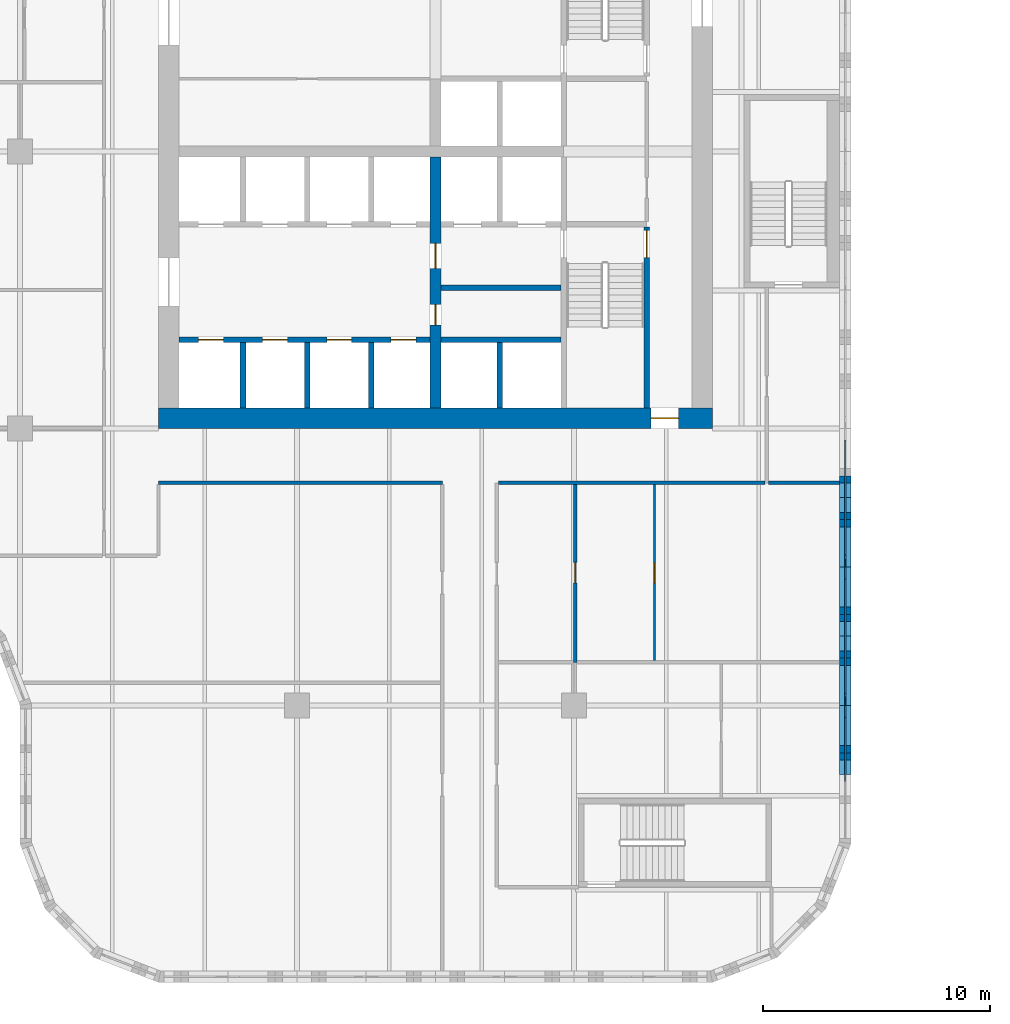
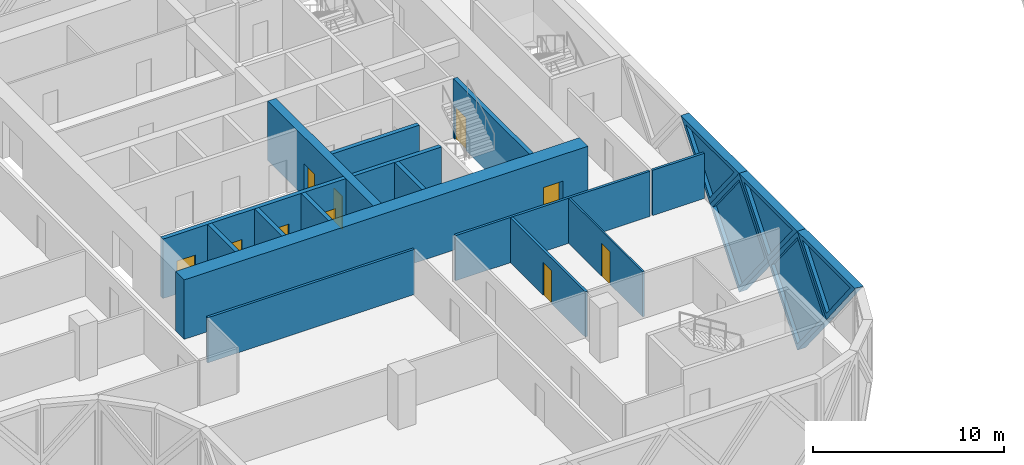
# One storey, part 8 of 24: 20 walls, 10 doors, 5 plates, 15 openings.
"""IFC4 building model written with IfcOpenShell, lengths in metres."""

import ifcopenshell
import ifcopenshell.guid

model = None  # the IFC model being written
_history = None  # IfcOwnerHistory: only IFC2X3 demands one
_inside = {}  # id of a spatial element -> (the spatial element, [elements in it])
_under = {}  # id of a project, library or spatial element -> (it, [spatial elements below it])
_declared = {}  # id of a project -> (the project, [libraries it declares])
_typed = {}  # id of a type object -> (the type object, [elements of that type])
_made_of = {}  # id of a material, layer set ... -> (it, [elements and type objects made of it])


def new_model(schema):
    """Start an empty IFC model of exactly this schema.

    Asked for "IFC4X3", IfcOpenShell would pick the latest addendum, in which some entities
    have other attributes; the version numbers below select the first issue.
    IFC2X3 requires an IfcOwnerHistory on every rooted entity: one is made here for all.
    """
    global model, _history
    if schema == "IFC4X3":
        model = ifcopenshell.file(schema_version=(4, 3, 0, 0))
    else:
        model = ifcopenshell.file(schema=schema)
    _inside.clear()
    _under.clear()
    _declared.clear()
    _typed.clear()
    _made_of.clear()
    _history = None
    if model.schema == "IFC2X3":
        org = make("IfcOrganization", Name="unknown")
        user = make(
            "IfcPersonAndOrganization",
            ThePerson=make("IfcPerson", FamilyName="unknown"),
            TheOrganization=org,
        )
        app = make(
            "IfcApplication",
            ApplicationDeveloper=org,
            Version="unknown",
            ApplicationFullName="unknown",
            ApplicationIdentifier="unknown",
        )
        _history = make(
            "IfcOwnerHistory",
            OwningUser=user,
            OwningApplication=app,
            ChangeAction="ADDED",
            CreationDate=0,
        )
    return model


def make(cls, **values):
    """One entity of the class cls with the attributes given. An attribute that is None is left unset."""
    return model.create_entity(
        cls, **{name: value for name, value in values.items() if value is not None}
    )


def rooted(cls, **values):
    """An entity with a GlobalId (a new one), such as an element, a storey or a relation."""
    return make(cls, GlobalId=ifcopenshell.guid.new(), OwnerHistory=_history, **values)


def si_unit(unit_type, name, prefix=None):
    """IfcSIUnit, for example si_unit("LENGTHUNIT", "METRE", prefix="MILLI")."""
    return make("IfcSIUnit", UnitType=unit_type, Prefix=prefix, Name=name)


def assignment(units):
    """IfcUnitAssignment: the units of a project."""
    return None if units is None else make("IfcUnitAssignment", Units=units)


def point(xyz):
    """IfcCartesianPoint."""
    return None if xyz is None else make("IfcCartesianPoint", Coordinates=xyz)


def direction(xyz):
    """IfcDirection."""
    return None if xyz is None else make("IfcDirection", DirectionRatios=xyz)


def frame(location, z_axis=None, x_axis=None):
    """IfcAxis2Placement3D, a coordinate frame: its origin and axes. An axis left out is left unset."""
    return make(
        "IfcAxis2Placement3D",
        Location=point(location),
        Axis=direction(z_axis),
        RefDirection=direction(x_axis),
    )


def frame_2d(location, x_axis=None):
    """IfcAxis2Placement2D, a coordinate frame in the plane: its origin and x axis."""
    return make(
        "IfcAxis2Placement2D", Location=point(location), RefDirection=direction(x_axis)
    )


def origin():
    """The frame at (0, 0, 0) with its axes left unset."""
    return frame((0.0, 0.0, 0.0))


def place(relative_to, where):
    """IfcLocalPlacement: puts the frame where relative to a parent placement (None: the world)."""
    return make(
        "IfcLocalPlacement", PlacementRelTo=relative_to, RelativePlacement=where
    )


def context(
    kind, dimensions, precision=None, world=None, true_north=None, identifier=None
):
    """IfcGeometricRepresentationContext, for example the 3D "Model" context."""
    return make(
        "IfcGeometricRepresentationContext",
        ContextIdentifier=identifier,
        ContextType=kind,
        CoordinateSpaceDimension=dimensions,
        Precision=precision,
        WorldCoordinateSystem=world,
        TrueNorth=true_north,
    )


def subcontext(parent, identifier, kind, view, scale=None):
    """IfcGeometricRepresentationSubContext, for example "Body" below "Model"."""
    return make(
        "IfcGeometricRepresentationSubContext",
        ContextIdentifier=identifier,
        ContextType=kind,
        ParentContext=parent,
        TargetScale=scale,
        TargetView=view,
    )


def project(units=None, contexts=None):
    """IfcProject with its units and contexts."""
    return rooted(
        "IfcProject",
        Name="project",
        RepresentationContexts=contexts,
        UnitsInContext=assignment(units),
    )


def spatial(cls, under=None, at=None, **own):
    """A site, building, storey or space (cls), placed at a placement, below another one or the project."""
    s = rooted(cls, ObjectPlacement=at, **own)
    if under is not None:
        _under.setdefault(under.id(), (under, []))[1].append(s)
    return s


def polyline(points):
    """IfcPolyline through the points."""
    return make("IfcPolyline", Points=[point(p) for p in points])


def profile(cls, at=None, kind="AREA", **sizes):
    """A parametric profile (cls). Its sizes go by their IFC names, for example OverallWidth=200.0."""
    return make(cls, ProfileType=kind, Position=at, **sizes)


def rectangle(**sizes):
    """IfcRectangleProfileDef."""
    return profile("IfcRectangleProfileDef", **sizes)


def outline(outer, holes=None, kind="AREA"):
    """IfcArbitraryClosedProfileDef: a profile drawn as a closed curve; with holes, ...WithVoids."""
    if holes is None:
        return make("IfcArbitraryClosedProfileDef", ProfileType=kind, OuterCurve=outer)
    return make(
        "IfcArbitraryProfileDefWithVoids",
        ProfileType=kind,
        OuterCurve=outer,
        InnerCurves=holes,
    )


def extrude(swept, where, along, depth):
    """IfcExtrudedAreaSolid: the profile swept, set in the frame where, extruded along a direction by depth."""
    return make(
        "IfcExtrudedAreaSolid",
        SweptArea=swept,
        Position=where,
        ExtrudedDirection=direction(along),
        Depth=depth,
    )


def faces_of(points, faces, orient=None, outer=None):
    """IfcFace entities. A face is a list of loops; a loop is a list of indices into points, from 0.

    orient and outer hold one flag for each loop. By default every Orientation is true, the
    first loop of a face is its IfcFaceOuterBound and the others are IfcFaceBound.
    """
    made = []
    for i, loops in enumerate(faces):
        bounds = []
        for j, loop in enumerate(loops):
            is_outer = j == 0 if outer is None else outer[i][j]
            bounds.append(
                make(
                    "IfcFaceOuterBound" if is_outer else "IfcFaceBound",
                    Bound=make("IfcPolyLoop", Polygon=[points[k] for k in loop]),
                    Orientation=True if orient is None else orient[i][j],
                )
            )
        made.append(make("IfcFace", Bounds=bounds))
    return made


def faceted_brep(points, faces, orient=None, outer=None, voids=None):
    """IfcFacetedBrep: a solid bounded by flat faces; with voids (closed shells), ...WithVoids."""
    shared = [point(p) for p in points]
    hull = make("IfcClosedShell", CfsFaces=faces_of(shared, faces, orient, outer))
    if voids is None:
        return make("IfcFacetedBrep", Outer=hull)
    return make(
        "IfcFacetedBrepWithVoids",
        Outer=hull,
        Voids=[
            make(cls, CfsFaces=faces_of(shared, fs, o, b)) for cls, fs, o, b in voids
        ],
    )


def shape(context_of_items, identifier, shape_type, items):
    """IfcShapeRepresentation: the items that make up one representation, for example the "Body"."""
    return make(
        "IfcShapeRepresentation",
        ContextOfItems=context_of_items,
        RepresentationIdentifier=identifier,
        RepresentationType=shape_type,
        Items=items,
    )


def source(mapping_origin, context_of_items, identifier, shape_type, items):
    """IfcRepresentationMap: a shape defined once, which mapped items show again and again."""
    return make(
        "IfcRepresentationMap",
        MappingOrigin=mapping_origin,
        MappedRepresentation=shape(context_of_items, identifier, shape_type, items),
    )


def transform(
    local_origin,
    x_axis=None,
    y_axis=None,
    z_axis=None,
    scale=None,
    scale2=None,
    scale3=None,
    uniform=True,
):
    """IfcCartesianTransformationOperator3D, or its non-uniform kind. x_axis, y_axis, z_axis: its Axis1, 2, 3."""
    if uniform:
        return make(
            "IfcCartesianTransformationOperator3D",
            Axis1=direction(x_axis),
            Axis2=direction(y_axis),
            LocalOrigin=point(local_origin),
            Scale=scale,
            Axis3=direction(z_axis),
        )
    return make(
        "IfcCartesianTransformationOperator3DnonUniform",
        Axis1=direction(x_axis),
        Axis2=direction(y_axis),
        LocalOrigin=point(local_origin),
        Scale=scale,
        Axis3=direction(z_axis),
        Scale2=scale2,
        Scale3=scale3,
    )


def mapped(mapping_source, mapping_target):
    """IfcMappedItem: shows the shape of a source again, moved by a transform."""
    return make(
        "IfcMappedItem", MappingSource=mapping_source, MappingTarget=mapping_target
    )


def material(Name=None, Category=None):
    """IfcMaterial."""
    return make("IfcMaterial", Name=Name, Category=Category)


def layer(
    of_material, thickness, ventilated=None, Name=None, Category=None, Priority=None
):
    """IfcMaterialLayer: one layer of a wall or slab, of a material (None: an air gap)."""
    return make(
        "IfcMaterialLayer",
        Material=of_material,
        LayerThickness=thickness,
        IsVentilated=ventilated,
        Name=Name,
        Category=Category,
        Priority=Priority,
    )


def layer_set(layers, Name=None):
    """IfcMaterialLayerSet."""
    return make("IfcMaterialLayerSet", MaterialLayers=layers, LayerSetName=Name)


def made_of(thing, what):
    """Note that an element or type object is made of a material, layer set ...; save() writes the relation."""
    if what is not None:
        _made_of.setdefault(what.id(), (what, []))[1].append(thing)
    return thing


def type_object(cls, material=None, **own):
    """A type object (cls), such as IfcWallType, which elements share."""
    return made_of(rooted(cls, **own), material)


def element(
    cls,
    number,
    at=None,
    inside=None,
    cuts=None,
    type_object=None,
    material=None,
    context=None,
    identifier="Body",
    shape_type=None,
    held_by="IfcProductDefinitionShape",
    body=None,
    shapes=None,
    **own,
):
    """One element of the class cls, such as IfcWall. Its Tag is "e" and its number.

    at: its placement. inside: the storey or other place that contains it. cuts: it is an
    opening in that element (IfcRelVoidsElement). A single representation is given by context,
    identifier, shape_type and body (its items); several are given by shapes. held_by: the class
    of the entity that holds the representations. save() writes the other relations.
    """
    e = rooted(cls, Tag="e%d" % number, ObjectPlacement=at, **own)
    if body is not None:
        shapes = [shape(context, identifier, shape_type, body)]
    if shapes is not None:
        e.Representation = make(held_by, Representations=shapes)
    if inside is not None:
        _inside.setdefault(inside.id(), (inside, []))[1].append(e)
    if cuts is not None:
        rooted(
            "IfcRelVoidsElement", RelatingBuildingElement=cuts, RelatedOpeningElement=e
        )
    if type_object is not None:
        _typed.setdefault(type_object.id(), (type_object, []))[1].append(e)
    return made_of(e, material)


def fill(opening, filler):
    """IfcRelFillsElement: the door or window that sits in an opening."""
    return rooted(
        "IfcRelFillsElement",
        RelatingOpeningElement=opening,
        RelatedBuildingElement=filler,
    )


def aggregate(whole, parts):
    """IfcRelAggregates: a whole, such as a stair, and the parts it consists of."""
    return rooted("IfcRelAggregates", RelatingObject=whole, RelatedObjects=parts)


def save(model, path):
    """Write the relations noted so far, then the file.

    IfcRelAggregates (storeys below a building ...), IfcRelContainedInSpatialStructure (elements
    in a storey), IfcRelDefinesByType, IfcRelAssociatesMaterial and IfcRelDeclares: one each for
    every whole, place, type object, material and project.
    """
    for whole, parts in _under.values():
        aggregate(whole, parts)
    for where, things in _inside.values():
        rooted(
            "IfcRelContainedInSpatialStructure",
            RelatedElements=things,
            RelatingStructure=where,
        )
    for kind, things in _typed.values():
        rooted("IfcRelDefinesByType", RelatedObjects=things, RelatingType=kind)
    for what, things in _made_of.values():
        rooted("IfcRelAssociatesMaterial", RelatedObjects=things, RelatingMaterial=what)
    for by, libraries in _declared.values():
        rooted("IfcRelDeclares", RelatingContext=by, RelatedDefinitions=libraries)
    model.write(path)


model = new_model("IFC4")

# Units and contexts
model_context = context("Model", 3, precision=1e-05, world=origin(), true_north=direction((0.0, 1.0)))
body_context = subcontext(model_context, "Body", "Model", "MODEL_VIEW")
ifc_project = project(units=[si_unit("LENGTHUNIT", "METRE"), si_unit("AREAUNIT", "SQUARE_METRE"), si_unit("VOLUMEUNIT", "CUBIC_METRE"), si_unit("PLANEANGLEUNIT", "RADIAN"), si_unit("MASSUNIT", "GRAM", prefix="KILO")], contexts=[model_context])

# Site, building, storey
site_placement = place(None, origin())
site = spatial("IfcSite", under=ifc_project, at=site_placement, CompositionType="ELEMENT")
building_placement = place(site_placement, origin())
building = spatial("IfcBuilding", under=site, at=building_placement, Name="Tessera Gate Towers", CompositionType="ELEMENT")
storey_placement = place(building_placement, frame((0.0, 0.0, 60.0)))
storey = spatial("IfcBuildingStorey", under=building, at=storey_placement, Name="L14", CompositionType="ELEMENT", Elevation=60.0)

# Wall, openings, doors
ifc_material_1 = material(Name="Concrete C40/50", Category="concrete")
ifc_layer_1 = layer(ifc_material_1, 0.25)
ifc_layer_set_1 = layer_set([ifc_layer_1], Name="CORE ENCLOSURE WALL 250")
wall_type_1 = type_object("IfcWallType", Name="CORE ENCLOSURE WALL 250", PredefinedType="SOLIDWALL", material=ifc_layer_set_1)
wall_1_placement = place(storey_placement, frame((31.39990234375, 28.300048828125, 0.0), z_axis=(0.0, 0.0, 1.0), x_axis=(1.0, 0.0, 0.0)))
wall_1 = element("IfcWall", 1, at=wall_1_placement, inside=storey, type_object=wall_type_1, Name="L14 shaft and stair enclosure wall", PredefinedType="SOLIDWALL", context=body_context, shape_type="SweptSolid", body=[
    extrude(rectangle(XDim=11.050048828125, YDim=0.25, at=frame_2d((5.52490234375, 0.0))), origin(), (0.0, 0.0, 1.0), 3.800048828125),
])
shared_shape_1 = source(origin(), body_context, "Body", "SweptSolid", [
    extrude(rectangle(XDim=1.10009765625, YDim=2.10009765625, at=frame_2d((0.550048828125, 1.050048828125))), frame((0.0, 0.135009765625, 0.0), z_axis=(0.0, -1.0, 0.0), x_axis=(1.0, 0.0, 0.0)), (0.0, 0.0, 1.0), 0.27001953125),
])
opening_1_placement = place(wall_1_placement, frame((0.862548828125, 0.0, 0.0)))
opening_1 = element("IfcOpeningElement", 2, at=opening_1_placement, cuts=wall_1, Name="Opening LD-LR1", PredefinedType="OPENING", context=body_context, shape_type="MappedRepresentation", body=[
    mapped(shared_shape_1, transform((0.0, 0.0, 0.0), scale=1.0)),
])
opening_2_placement = place(wall_1_placement, frame((3.6875, 0.0, 0.0)))
opening_2 = element("IfcOpeningElement", 3, at=opening_2_placement, cuts=wall_1, Name="Opening LD-LR2", PredefinedType="OPENING", context=body_context, shape_type="MappedRepresentation", body=[
    mapped(shared_shape_1, transform((0.0, 0.0, 0.0), scale=1.0)),
])
opening_3_placement = place(wall_1_placement, frame((6.512451171875, 0.0, 0.0)))
opening_3 = element("IfcOpeningElement", 4, at=opening_3_placement, cuts=wall_1, Name="Opening LD-LR3", PredefinedType="OPENING", context=body_context, shape_type="MappedRepresentation", body=[
    mapped(shared_shape_1, transform((0.0, 0.0, 0.0), scale=1.0)),
])
opening_4_placement = place(wall_1_placement, frame((9.33740234375, 0.0, 0.0)))
opening_4 = element("IfcOpeningElement", 5, at=opening_4_placement, cuts=wall_1, Name="Opening LD-LR4", PredefinedType="OPENING", context=body_context, shape_type="MappedRepresentation", body=[
    mapped(shared_shape_1, transform((0.0, 0.0, 0.0), scale=1.0)),
])
ifc_material_2 = material(Name="Stainless steel", Category="steel")
door_type_1 = type_object("IfcDoorType", Name="CORE DOOR LD 1100x2100", OperationType="DOUBLE_DOOR_SLIDING", PredefinedType="DOOR", material=ifc_material_2)
shared_shape_2 = source(origin(), body_context, "Body", "SweptSolid", [
    extrude(rectangle(XDim=1.10009765625, YDim=2.10009765625, at=frame_2d((0.550048828125, 1.050048828125))), frame((0.0, 0.02490234375, 0.0), z_axis=(0.0, -1.0, 0.0), x_axis=(1.0, 0.0, 0.0)), (0.0, 0.0, 1.0), 0.050048828125),
])
door_1_placement = place(opening_1_placement, origin())
door_1 = element("IfcDoor", 6, at=door_1_placement, inside=storey, type_object=door_type_1, Name="Landing door LR1 L14", OperationType="DOUBLE_DOOR_SLIDING", OverallHeight=2.10009765625, OverallWidth=1.10009765625, PredefinedType="DOOR", context=body_context, shape_type="MappedRepresentation", body=[
    mapped(shared_shape_2, transform((0.0, 0.0, 0.0), scale=1.0)),
])
fill(opening_1, door_1)
door_2_placement = place(opening_2_placement, origin())
door_2 = element("IfcDoor", 7, at=door_2_placement, inside=storey, type_object=door_type_1, Name="Landing door LR2 L14", OperationType="DOUBLE_DOOR_SLIDING", OverallHeight=2.10009765625, OverallWidth=1.10009765625, PredefinedType="DOOR", context=body_context, shape_type="MappedRepresentation", body=[
    mapped(shared_shape_2, transform((0.0, 0.0, 0.0), scale=1.0)),
])
fill(opening_2, door_2)
door_3_placement = place(opening_3_placement, origin())
door_3 = element("IfcDoor", 8, at=door_3_placement, inside=storey, type_object=door_type_1, Name="Landing door LR3 L14", OperationType="DOUBLE_DOOR_SLIDING", OverallHeight=2.10009765625, OverallWidth=1.10009765625, PredefinedType="DOOR", context=body_context, shape_type="MappedRepresentation", body=[
    mapped(shared_shape_2, transform((0.0, 0.0, 0.0), scale=1.0)),
])
fill(opening_3, door_3)
door_4_placement = place(opening_4_placement, origin())
door_4 = element("IfcDoor", 9, at=door_4_placement, inside=storey, type_object=door_type_1, Name="Landing door LR4 L14", OperationType="DOUBLE_DOOR_SLIDING", OverallHeight=2.10009765625, OverallWidth=1.10009765625, PredefinedType="DOOR", context=body_context, shape_type="MappedRepresentation", body=[
    mapped(shared_shape_2, transform((0.0, 0.0, 0.0), scale=1.0)),
])
fill(opening_4, door_4)

# Wall
wall_2_placement = place(storey_placement, frame((42.949951171875, 28.300048828125, 0.0), z_axis=(0.0, 0.0, 1.0), x_axis=(1.0, 0.0, 0.0)))
element("IfcWall", 10, at=wall_2_placement, inside=storey, type_object=wall_type_1, Name="L14 shaft and stair enclosure wall", PredefinedType="SOLIDWALL", context=body_context, shape_type="SweptSolid", body=[
    extrude(rectangle(XDim=5.275146484375, YDim=0.25, at=frame_2d((2.6376953125, 0.0))), origin(), (0.0, 0.0, 1.0), 3.800048828125),
])

# Wall, opening, door
wall_3_placement = place(storey_placement, frame((52.0, 25.300048828125, 0.0), z_axis=(0.0, 0.0, 1.0), x_axis=(0.0, 1.0, 0.0)))
wall_3 = element("IfcWall", 11, at=wall_3_placement, inside=storey, type_object=wall_type_1, Name="L14 shaft and stair enclosure wall", PredefinedType="SOLIDWALL", context=body_context, shape_type="SweptSolid", body=[
    extrude(rectangle(XDim=7.974853515625, YDim=0.25, at=frame_2d((3.9873046875, 0.0))), origin(), (0.0, 0.0, 1.0), 3.800048828125),
])
shared_shape_3 = source(origin(), body_context, "Body", "SweptSolid", [
    extrude(rectangle(XDim=1.199951171875, YDim=2.10009765625, at=frame_2d((0.60009765625, 1.050048828125))), frame((0.0, 0.135009765625, 0.0), z_axis=(0.0, -1.0, 0.0), x_axis=(1.0, 0.0, 0.0)), (0.0, 0.0, 1.0), 0.27001953125),
])
opening_5_placement = place(wall_3_placement, frame((6.625, 0.0, 0.0)))
opening_5 = element("IfcOpeningElement", 12, at=opening_5_placement, cuts=wall_3, Name="Opening SD-ST1-2", PredefinedType="OPENING", context=body_context, shape_type="MappedRepresentation", body=[
    mapped(shared_shape_3, transform((0.0, 0.0, 0.0), scale=1.0)),
])
ifc_material_3 = material(Name="Hollow steel fire door", Category="steel")
door_type_2 = type_object("IfcDoorType", Name="CORE DOOR SD 1200x2100", OperationType="NOTDEFINED", PredefinedType="DOOR", material=ifc_material_3)
shared_shape_4 = source(origin(), body_context, "Body", "SweptSolid", [
    extrude(rectangle(XDim=1.199951171875, YDim=2.10009765625, at=frame_2d((0.60009765625, 1.050048828125))), frame((0.0, 0.02490234375, 0.0), z_axis=(0.0, -1.0, 0.0), x_axis=(1.0, 0.0, 0.0)), (0.0, 0.0, 1.0), 0.050048828125),
])
door_5_placement = place(opening_5_placement, origin())
door_5 = element("IfcDoor", 13, at=door_5_placement, inside=storey, type_object=door_type_2, Name="Stair door", OperationType="SINGLE_SWING_RIGHT", OverallHeight=2.10009765625, OverallWidth=1.199951171875, PredefinedType="DOOR", context=body_context, shape_type="MappedRepresentation", body=[
    mapped(shared_shape_4, transform((0.0, 0.0, 0.0), scale=1.0)),
])
fill(opening_5, door_5)

# Walls
wall_4_placement = place(storey_placement, frame((42.949951171875, 30.60009765625, 0.0), z_axis=(0.0, 0.0, 1.0), x_axis=(1.0, 0.0, 0.0)))
element("IfcWall", 14, at=wall_4_placement, inside=storey, type_object=wall_type_1, Name="L14 shaft and stair enclosure wall", PredefinedType="SOLIDWALL", context=body_context, shape_type="SweptSolid", body=[
    extrude(rectangle(XDim=5.275146484375, YDim=0.25, at=frame_2d((2.6376953125, 0.0))), origin(), (0.0, 0.0, 1.0), 3.800048828125),
])
for number, where, z_axis, x_axis, name in (
    (15, (34.22509765625, 25.300048828125, 0.0), (0.0, 0.0, 1.0), (0.0, 1.0, 0.0), "L14 shaft and stair enclosure wall"),
    (16, (37.050048828125, 25.300048828125, 0.0), (0.0, 0.0, 1.0), (0.0, 1.0, 0.0), "L14 shaft and stair enclosure wall"),
    (17, (39.875, 25.300048828125, 0.0), (0.0, 0.0, 1.0), (0.0, 1.0, 0.0), "L14 shaft and stair enclosure wall"),
    (18, (45.52490234375, 25.300048828125, 0.0), (0.0, 0.0, 1.0), (0.0, 1.0, 0.0), "L14 shaft and stair enclosure wall"),
):
    element("IfcWall", number, at=place(storey_placement, frame(where, z_axis=z_axis, x_axis=x_axis)), inside=storey, type_object=wall_type_1, Name=name, PredefinedType="SOLIDWALL", context=body_context, shape_type="SweptSolid", body=[
        extrude(rectangle(XDim=2.875, YDim=0.25, at=frame_2d((1.4375, 0.0))), origin(), (0.0, 0.0, 1.0), 3.800048828125),
    ])

# Wall, opening, door
ifc_material_4 = material(Name="Concrete C70/85", Category="concrete")
ifc_layer_2 = layer(ifc_material_4, 0.89990234375)
ifc_layer_set_2 = layer_set([ifc_layer_2], Name="CORE SHEAR WALL 900 C70/85")
wall_type_2 = type_object("IfcWallType", Name="CORE SHEAR WALL 900 C70/85", PredefinedType="SHEAR", material=ifc_layer_set_2)
wall_5_placement = place(storey_placement, frame((54.89990234375, 24.85009765625, 0.0), z_axis=(0.0, 0.0, 1.0), x_axis=(-1.0, 0.0, 0.0)))
wall_5 = element("IfcWall", 19, at=wall_5_placement, inside=storey, type_object=wall_type_2, Name="Core wall S L14", PredefinedType="SHEAR", context=body_context, shape_type="SweptSolid", body=[
    extrude(rectangle(XDim=24.39990234375, YDim=0.89990234375, at=frame_2d((12.199951171875, 0.0))), origin(), (0.0, 0.0, 1.0), 3.800048828125),
])
shared_shape_5 = source(origin(), body_context, "Body", "SweptSolid", [
    extrude(rectangle(XDim=1.199951171875, YDim=2.10009765625, at=frame_2d((0.60009765625, 1.050048828125))), frame((0.0, 0.4599609375, 0.0), z_axis=(0.0, -1.0, 0.0), x_axis=(1.0, 0.0, 0.0)), (0.0, 0.0, 1.0), 0.919921875),
])
opening_6_placement = place(wall_5_placement, frame((1.5, 0.0, 0.0)))
opening_6 = element("IfcOpeningElement", 20, at=opening_6_placement, cuts=wall_5, Name="Opening ED-T1-10-01", PredefinedType="OPENING", context=body_context, shape_type="MappedRepresentation", body=[
    mapped(shared_shape_5, transform((0.0, 0.0, 0.0), scale=1.0)),
])
ifc_material_5 = material(Name="Hollow steel fire door", Category="steel")
door_type_3 = type_object("IfcDoorType", Name="CORE DOOR ED 1200x2100", OperationType="NOTDEFINED", PredefinedType="DOOR", material=ifc_material_5)
door_6_placement = place(opening_6_placement, origin())
door_6 = element("IfcDoor", 21, at=door_6_placement, inside=storey, type_object=door_type_3, Name="Core exit door", OperationType="SINGLE_SWING_LEFT", OverallHeight=2.10009765625, OverallWidth=1.199951171875, PredefinedType="DOOR", context=body_context, shape_type="MappedRepresentation", body=[
    mapped(shared_shape_4, transform((0.0, 0.0, 0.0), scale=1.0)),
])
fill(opening_6, door_6)

# Wall, openings, doors
ifc_material_6 = material(Name="Concrete C70/85", Category="concrete")
ifc_layer_3 = layer(ifc_material_6, 0.5)
ifc_layer_set_3 = layer_set([ifc_layer_3], Name="CORE SPINE WALL 500 C70/85")
wall_type_3 = type_object("IfcWallType", Name="CORE SPINE WALL 500 C70/85", PredefinedType="SHEAR", material=ifc_layer_set_3)
wall_6_placement = place(storey_placement, frame((42.699951171875, 36.35009765625, 0.0), z_axis=(0.0, 0.0, 1.0), x_axis=(0.0, -1.0, 0.0)))
wall_6 = element("IfcWall", 22, at=wall_6_placement, inside=storey, type_object=wall_type_3, Name="Core wall spine L14", PredefinedType="SHEAR", context=body_context, shape_type="SweptSolid", body=[
    extrude(rectangle(XDim=11.050048828125, YDim=0.5, at=frame_2d((5.52490234375, 0.0))), origin(), (0.0, 0.0, 1.0), 3.800048828125),
])
shared_shape_6 = source(origin(), body_context, "Body", "SweptSolid", [
    extrude(rectangle(XDim=0.89990234375, YDim=2.10009765625, at=frame_2d((0.449951171875, 1.050048828125))), frame((0.0, 0.260009765625, 0.0), z_axis=(0.0, -1.0, 0.0), x_axis=(1.0, 0.0, 0.0)), (0.0, 0.0, 1.0), 0.52001953125),
])
opening_7_placement = place(wall_6_placement, frame((6.5, 0.0, 0.0)))
opening_7 = element("IfcOpeningElement", 23, at=opening_7_placement, cuts=wall_6, Name="Opening RD-T1-10-05", PredefinedType="OPENING", context=body_context, shape_type="MappedRepresentation", body=[
    mapped(shared_shape_6, transform((0.0, 0.0, 0.0), scale=1.0)),
])
shared_shape_7 = source(origin(), body_context, "Body", "SweptSolid", [
    extrude(rectangle(XDim=1.10009765625, YDim=2.10009765625, at=frame_2d((0.550048828125, 1.050048828125))), frame((0.0, 0.260009765625, 0.0), z_axis=(0.0, -1.0, 0.0), x_axis=(1.0, 0.0, 0.0)), (0.0, 0.0, 1.0), 0.52001953125),
])
opening_8_placement = place(wall_6_placement, frame((3.800048828125, 0.0, 0.0)))
opening_8 = element("IfcOpeningElement", 24, at=opening_8_placement, cuts=wall_6, Name="Opening FD-T1-10-06", PredefinedType="OPENING", context=body_context, shape_type="MappedRepresentation", body=[
    mapped(shared_shape_7, transform((0.0, 0.0, 0.0), scale=1.0)),
])
ifc_material_7 = material(Name="Hollow steel fire door", Category="steel")
door_type_4 = type_object("IfcDoorType", Name="CORE DOOR RD 900x2100", OperationType="NOTDEFINED", PredefinedType="DOOR", material=ifc_material_7)
shared_shape_8 = source(origin(), body_context, "Body", "SweptSolid", [
    extrude(rectangle(XDim=0.89990234375, YDim=2.10009765625, at=frame_2d((0.449951171875, 1.050048828125))), frame((0.0, 0.02490234375, 0.0), z_axis=(0.0, -1.0, 0.0), x_axis=(1.0, 0.0, 0.0)), (0.0, 0.0, 1.0), 0.050048828125),
])
door_7_placement = place(opening_7_placement, origin())
door_7 = element("IfcDoor", 25, at=door_7_placement, inside=storey, type_object=door_type_4, Name="Core room door", OperationType="SINGLE_SWING_RIGHT", OverallHeight=2.10009765625, OverallWidth=0.89990234375, PredefinedType="DOOR", context=body_context, shape_type="MappedRepresentation", body=[
    mapped(shared_shape_8, transform((0.0, 0.0, 0.0), scale=1.0)),
])
fill(opening_7, door_7)
ifc_material_8 = material(Name="Hollow steel fire door", Category="steel")
door_type_5 = type_object("IfcDoorType", Name="CORE DOOR FD 1100x2100", OperationType="NOTDEFINED", PredefinedType="DOOR", material=ifc_material_8)
door_8_placement = place(opening_8_placement, origin())
door_8 = element("IfcDoor", 26, at=door_8_placement, inside=storey, type_object=door_type_5, Name="Fire-fighting lobby door", OperationType="SINGLE_SWING_LEFT", OverallHeight=2.10009765625, OverallWidth=1.10009765625, PredefinedType="DOOR", context=body_context, shape_type="MappedRepresentation", body=[
    mapped(shared_shape_2, transform((0.0, 0.0, 0.0), scale=1.0)),
])
fill(opening_8, door_8)

# Walls
ifc_material_9 = material(Name="Gypsum board on steel studs, mineral wool", Category="steel")
ifc_layer_4 = layer(ifc_material_9, 0.14990234375)
ifc_layer_set_4 = layer_set([ifc_layer_4], Name="CORRIDOR WALL 150")
wall_type_4 = type_object("IfcWallType", Name="CORRIDOR WALL 150", PredefinedType="PARTITIONING", material=ifc_layer_set_4)
wall_7_placement = place(storey_placement, frame((30.5, 22.0, 0.0), z_axis=(0.0, 0.0, 1.0), x_axis=(1.0, 0.0, 0.0)))
element("IfcWall", 27, at=wall_7_placement, inside=storey, type_object=wall_type_4, Name="T1-L14-PW-017", PredefinedType="PARTITIONING", context=body_context, shape_type="SweptSolid", body=[
    extrude(rectangle(XDim=12.5, YDim=0.14990234375, at=frame_2d((6.25, 0.0))), origin(), (0.0, 0.0, 1.0), 2.887939453125),
])
wall_8_placement = place(storey_placement, frame((45.47607421875, 22.0, 0.0), z_axis=(0.0, 0.0, 1.0), x_axis=(1.0, 0.0, 0.0)))
element("IfcWall", 28, at=wall_8_placement, inside=storey, type_object=wall_type_4, Name="T1-L14-PW-018", PredefinedType="PARTITIONING", context=body_context, shape_type="SweptSolid", body=[
    extrude(rectangle(XDim=11.748046875, YDim=0.14990234375, at=frame_2d((5.8740234375, 0.0))), origin(), (0.0, 0.0, 1.0), 2.887939453125),
])

# Wall, opening, door
ifc_material_10 = material(Name="Gypsum board on steel studs", Category="steel")
ifc_layer_5 = layer(ifc_material_10, 0.10009765625)
ifc_layer_set_5 = layer_set([ifc_layer_5], Name="PARTITION 100")
wall_type_5 = type_object("IfcWallType", Name="PARTITION 100", PredefinedType="PARTITIONING", material=ifc_layer_set_5)
wall_9_placement = place(storey_placement, frame((52.35009765625, 21.924072265625, 0.0), z_axis=(0.0, 0.0, 1.0), x_axis=(0.0, -1.0, 0.0)))
wall_9 = element("IfcWall", 29, at=wall_9_placement, inside=storey, type_object=wall_type_5, Name="T1-L14-PW-011", PredefinedType="PARTITIONING", context=body_context, shape_type="SweptSolid", body=[
    extrude(rectangle(XDim=7.748046875, YDim=0.10009765625, at=frame_2d((3.8740234375, 0.0))), origin(), (0.0, 0.0, 1.0), 2.887939453125),
])
shared_shape_9 = source(origin(), body_context, "Body", "SweptSolid", [
    extrude(rectangle(XDim=0.89990234375, YDim=2.10009765625, at=frame_2d((0.449951171875, 1.050048828125))), frame((0.0, 0.06005859375, 0.0), z_axis=(0.0, -1.0, 0.0), x_axis=(1.0, 0.0, 0.0)), (0.0, 0.0, 1.0), 0.1201171875),
])
opening_9_placement = place(wall_9_placement, frame((3.447998046875, 0.0, 0.0)))
opening_9 = element("IfcOpeningElement", 30, at=opening_9_placement, cuts=wall_9, Name="Opening D190-A05-11", PredefinedType="OPENING", context=body_context, shape_type="MappedRepresentation", body=[
    mapped(shared_shape_9, transform((0.0, 0.0, 0.0), scale=1.0)),
])
ifc_material_11 = material(Name="Timber door leaf in steel frame", Category="steel")
door_type_6 = type_object("IfcDoorType", Name="INTERNAL DOOR 900 NOT RATED", OperationType="NOTDEFINED", PredefinedType="DOOR", material=ifc_material_11)
door_9_placement = place(opening_9_placement, origin())
door_9 = element("IfcDoor", 31, at=door_9_placement, inside=storey, type_object=door_type_6, Name="T1-L14-PD-017", OperationType="SINGLE_SWING_RIGHT", OverallHeight=2.10009765625, OverallWidth=0.89990234375, PredefinedType="DOOR", context=body_context, shape_type="MappedRepresentation", body=[
    mapped(shared_shape_8, transform((0.0, 0.0, 0.0), scale=1.0)),
])
fill(opening_9, door_9)

ifc_material_12 = material(Name="Gypsum board on steel studs, mineral wool", Category="steel")
ifc_layer_6 = layer(ifc_material_12, 0.14990234375)
ifc_layer_set_6 = layer_set([ifc_layer_6], Name="TENANCY WALL 150")
wall_type_6 = type_object("IfcWallType", Name="TENANCY WALL 150", PredefinedType="PARTITIONING", material=ifc_layer_set_6)
wall_10_placement = place(storey_placement, frame((48.85009765625, 21.924072265625, 0.0), z_axis=(0.0, 0.0, 1.0), x_axis=(0.0, -1.0, 0.0)))
wall_10 = element("IfcWall", 32, at=wall_10_placement, inside=storey, type_object=wall_type_6, Name="T1-L14-PW-009", PredefinedType="PARTITIONING", context=body_context, shape_type="SweptSolid", body=[
    extrude(rectangle(XDim=7.823974609375, YDim=0.14990234375, at=frame_2d((3.912109375, 0.0))), origin(), (0.0, 0.0, 1.0), 2.887939453125),
])
shared_shape_10 = source(origin(), body_context, "Body", "SweptSolid", [
    extrude(rectangle(XDim=0.89990234375, YDim=2.10009765625, at=frame_2d((0.449951171875, 1.050048828125))), frame((0.0, 0.0849609375, 0.0), z_axis=(0.0, -1.0, 0.0), x_axis=(1.0, 0.0, 0.0)), (0.0, 0.0, 1.0), 0.169921875),
])
opening_10_placement = place(wall_10_placement, frame((3.424072265625, 0.0, 0.0)))
opening_10 = element("IfcOpeningElement", 33, at=opening_10_placement, cuts=wall_10, Name="Opening D190-A05-12", PredefinedType="OPENING", context=body_context, shape_type="MappedRepresentation", body=[
    mapped(shared_shape_10, transform((0.0, 0.0, 0.0), scale=1.0)),
])
door_10_placement = place(opening_10_placement, origin())
door_10 = element("IfcDoor", 34, at=door_10_placement, inside=storey, type_object=door_type_6, Name="T1-L14-PD-018", OperationType="SINGLE_SWING_RIGHT", OverallHeight=2.10009765625, OverallWidth=0.89990234375, PredefinedType="DOOR", context=body_context, shape_type="MappedRepresentation", body=[
    mapped(shared_shape_8, transform((0.0, 0.0, 0.0), scale=1.0)),
])
fill(opening_10, door_10)

# Wall
wall_11_placement = place(storey_placement, frame((57.3759765625, 22.0, 0.0), z_axis=(0.0, 0.0, 1.0), x_axis=(1.0, 0.0, 0.0)))
element("IfcWall", 35, at=wall_11_placement, inside=storey, type_object=wall_type_6, Name="T1-L14-PW-020", PredefinedType="PARTITIONING", context=body_context, shape_type="SweptSolid", body=[
    extrude(rectangle(XDim=3.1240234375, YDim=0.14990234375, at=frame_2d((1.56201171875, 0.0))), origin(), (0.0, 0.0, 1.0), 2.887939453125),
])

# Wall, opening, plate
ifc_material_13 = material(Name="Precast concrete C60/75 white", Category="concrete")
ifc_layer_7 = layer(ifc_material_13, 0.5)
ifc_layer_set_7 = layer_set([ifc_layer_7], Name="TS1 tessera")
wall_type_7 = type_object("IfcWallType", Name="TS1 tessera", PredefinedType="SOLIDWALL", material=ifc_layer_set_7)
shared_shape_11 = source(origin(), body_context, "Body", "SweptSolid", [
    extrude(outline(polyline([(3.050048828125, 0.0), (6.10009765625, 3.800048828125), (3.050048828125, 7.60009765625), (0.0, 3.800048828125), (3.050048828125, 0.0)])), frame((0.0, 0.25, 0.0), z_axis=(0.0, -1.0, 0.0), x_axis=(1.0, 0.0, 0.0)), (0.0, 0.0, 1.0), 0.5),
])
wall_12_placement = place(storey_placement, frame((60.75, 9.14990234375, -3.800048828125), z_axis=(0.0, 0.0, 1.0), x_axis=(0.0, 1.0, 0.0)))
wall_12 = element("IfcWall", 36, at=wall_12_placement, inside=storey, type_object=wall_type_7, Name="Precast tessera T1 TS1-0211", PredefinedType="SOLIDWALL", context=body_context, shape_type="MappedRepresentation", body=[
    mapped(shared_shape_11, transform((0.0, 0.0, 0.0), scale=1.0)),
])
shared_shape_12 = source(origin(), body_context, "Body", "SweptSolid", [
    extrude(outline(polyline([(3.050048828125, 0.3994140625), (5.779541015625, 3.800048828125), (3.050048828125, 7.20068359375), (0.320556640625, 3.800048828125), (3.050048828125, 0.3994140625)])), frame((0.0, 0.260009765625, 0.0), z_axis=(0.0, -1.0, 0.0), x_axis=(1.0, 0.0, 0.0)), (0.0, 0.0, 1.0), 0.52001953125),
])
opening_11_placement = place(wall_12_placement, origin())
opening_11 = element("IfcOpeningElement", 37, at=opening_11_placement, cuts=wall_12, Name="Opening T1-PL2-0431", PredefinedType="OPENING", context=body_context, shape_type="MappedRepresentation", body=[
    mapped(shared_shape_12, transform((0.0, 0.0, 0.0), scale=1.0)),
])
ifc_material_14 = material(Name="Low-e laminated glass", Category="glass")
ifc_layer_8 = layer(ifc_material_14, 0.06005859375)
ifc_layer_set_8 = layer_set([ifc_layer_8], Name="PL2 rhombic pane")
plate_type_1 = type_object("IfcPlateType", Name="PL2 rhombic pane", PredefinedType="SHEET", material=ifc_layer_set_8)
shared_shape_13 = source(origin(), body_context, "Body", "SweptSolid", [
    extrude(outline(polyline([(3.050048828125, 0.3994140625), (5.779541015625, 3.800048828125), (3.050048828125, 7.20068359375), (0.320556640625, 3.800048828125), (3.050048828125, 0.3994140625)])), frame((0.0, 0.030029296875, 0.0), z_axis=(0.0, -1.0, 0.0), x_axis=(1.0, 0.0, 0.0)), (0.0, 0.0, 1.0), 0.06005859375),
])
plate_1_placement = place(opening_11_placement, origin())
plate_1 = element("IfcPlate", 38, at=plate_1_placement, inside=storey, type_object=plate_type_1, Name="Glass pane T1 PL2-0431", PredefinedType="SHEET", context=body_context, shape_type="MappedRepresentation", body=[
    mapped(shared_shape_13, transform((0.0, 0.0, 0.0), scale=1.0)),
])
fill(opening_11, plate_1)

wall_13_placement = place(storey_placement, frame((60.75, 15.25, -3.800048828125), z_axis=(0.0, 0.0, 1.0), x_axis=(0.0, 1.0, 0.0)))
wall_13 = element("IfcWall", 39, at=wall_13_placement, inside=storey, type_object=wall_type_7, Name="Precast tessera T1 TS1-0212", PredefinedType="SOLIDWALL", context=body_context, shape_type="MappedRepresentation", body=[
    mapped(shared_shape_11, transform((0.0, 0.0, 0.0), scale=1.0)),
])
opening_12_placement = place(wall_13_placement, origin())
opening_12 = element("IfcOpeningElement", 40, at=opening_12_placement, cuts=wall_13, Name="Opening T1-PL2-0432", PredefinedType="OPENING", context=body_context, shape_type="MappedRepresentation", body=[
    mapped(shared_shape_12, transform((0.0, 0.0, 0.0), scale=1.0)),
])
plate_2_placement = place(opening_12_placement, origin())
plate_2 = element("IfcPlate", 41, at=plate_2_placement, inside=storey, type_object=plate_type_1, Name="Glass pane T1 PL2-0432", PredefinedType="SHEET", context=body_context, shape_type="MappedRepresentation", body=[
    mapped(shared_shape_13, transform((0.0, 0.0, 0.0), scale=1.0)),
])
fill(opening_12, plate_2)

ifc_material_15 = material(Name="Precast concrete C60/75 white", Category="concrete")
ifc_layer_9 = layer(ifc_material_15, 0.5)
ifc_layer_set_9 = layer_set([ifc_layer_9], Name="TS2 half tessera")
wall_type_8 = type_object("IfcWallType", Name="TS2 half tessera", PredefinedType="SOLIDWALL", material=ifc_layer_set_9)
shared_shape_14 = source(origin(), body_context, "Body", "Brep", [
    faceted_brep([(3.050048828125, -0.25, 0.0), (6.099853515625, -0.25, 3.7998046875), (6.099853515625, -0.25, 3.800048828125), (0.0, -0.25, 3.800048828125), (0.0, 0.25, 3.800048828125), (6.099853515625, 0.25, 3.800048828125), (6.099853515625, 0.25, 3.7998046875), (3.050048828125, 0.25, 0.0)], [[[0, 1, 2, 3]], [[4, 5, 6, 7]], [[7, 6, 1, 0]], [[5, 4, 3, 2]], [[4, 7, 0, 3]], [[1, 6, 5, 2]]]),
])
wall_14_placement = place(storey_placement, frame((60.75, 18.300048828125, 0.0), z_axis=(0.0, 0.0, 1.0), x_axis=(0.0, 1.0, 0.0)))
wall_14 = element("IfcWall", 42, at=wall_14_placement, inside=storey, type_object=wall_type_8, Name="Precast half tessera T1 TS2-0074", PredefinedType="SOLIDWALL", context=body_context, shape_type="MappedRepresentation", body=[
    mapped(shared_shape_14, transform((0.0, 0.0, 0.0), scale=1.0)),
])
shared_shape_15 = source(origin(), body_context, "Body", "SweptSolid", [
    extrude(outline(polyline([(3.050048828125, 0.3994140625), (5.578857421875, 3.550048828125), (0.521240234375, 3.550048828125), (3.050048828125, 0.3994140625)])), frame((0.0, 0.260009765625, 0.0), z_axis=(0.0, -1.0, 0.0), x_axis=(1.0, 0.0, 0.0)), (0.0, 0.0, 1.0), 0.52001953125),
])
opening_13_placement = place(wall_14_placement, origin())
opening_13 = element("IfcOpeningElement", 43, at=opening_13_placement, cuts=wall_14, Name="Opening T1-PL1-0152", PredefinedType="OPENING", context=body_context, shape_type="MappedRepresentation", body=[
    mapped(shared_shape_15, transform((0.0, 0.0, 0.0), scale=1.0)),
])
ifc_material_16 = material(Name="Low-e laminated glass", Category="glass")
ifc_layer_10 = layer(ifc_material_16, 0.06005859375)
ifc_layer_set_10 = layer_set([ifc_layer_10], Name="PL1 triangular pane")
plate_type_2 = type_object("IfcPlateType", Name="PL1 triangular pane", PredefinedType="SHEET", material=ifc_layer_set_10)
shared_shape_16 = source(origin(), body_context, "Body", "SweptSolid", [
    extrude(outline(polyline([(3.050048828125, 0.3994140625), (5.578857421875, 3.550048828125), (0.521240234375, 3.550048828125), (3.050048828125, 0.3994140625)])), frame((0.0, 0.030029296875, 0.0), z_axis=(0.0, -1.0, 0.0), x_axis=(1.0, 0.0, 0.0)), (0.0, 0.0, 1.0), 0.06005859375),
])
plate_3_placement = place(opening_13_placement, origin())
plate_3 = element("IfcPlate", 44, at=plate_3_placement, inside=storey, type_object=plate_type_2, Name="Glass pane T1 PL1-0152", PredefinedType="SHEET", context=body_context, shape_type="MappedRepresentation", body=[
    mapped(shared_shape_16, transform((0.0, 0.0, 0.0), scale=1.0)),
])
fill(opening_13, plate_3)

shared_shape_17 = source(origin(), body_context, "Body", "SweptSolid", [
    extrude(outline(polyline([(3.050048828125, 0.0), (6.10009765625, 3.800048828125), (0.0, 3.800048828125), (3.050048828125, 0.0)])), frame((0.0, 0.25, 0.0), z_axis=(0.0, -1.0, 0.0), x_axis=(1.0, 0.0, 0.0)), (0.0, 0.0, 1.0), 0.5),
])
wall_15_placement = place(storey_placement, frame((60.75, 12.199951171875, 0.0), z_axis=(0.0, 0.0, 1.0), x_axis=(0.0, 1.0, 0.0)))
wall_15 = element("IfcWall", 45, at=wall_15_placement, inside=storey, type_object=wall_type_8, Name="Precast half tessera T1 TS2-0073", PredefinedType="SOLIDWALL", context=body_context, shape_type="MappedRepresentation", body=[
    mapped(shared_shape_17, transform((0.0, 0.0, 0.0), scale=1.0)),
])
opening_14_placement = place(wall_15_placement, origin())
opening_14 = element("IfcOpeningElement", 46, at=opening_14_placement, cuts=wall_15, Name="Opening T1-PL1-0151", PredefinedType="OPENING", context=body_context, shape_type="MappedRepresentation", body=[
    mapped(shared_shape_15, transform((0.0, 0.0, 0.0), scale=1.0)),
])
plate_4_placement = place(opening_14_placement, origin())
plate_4 = element("IfcPlate", 47, at=plate_4_placement, inside=storey, type_object=plate_type_2, Name="Glass pane T1 PL1-0151", PredefinedType="SHEET", context=body_context, shape_type="MappedRepresentation", body=[
    mapped(shared_shape_16, transform((0.0, 0.0, 0.0), scale=1.0)),
])
fill(opening_14, plate_4)

shared_shape_18 = source(origin(), body_context, "Body", "Brep", [
    faceted_brep([(3.00341796875, -0.25, 0.0), (6.053466796875, -0.25, 3.800048828125), (0.0, -0.25, 3.800048828125), (0.046630859375, 0.25, 3.800048828125), (6.053466796875, 0.25, 3.800048828125), (3.00341796875, 0.25, 0.0), (0.046630859375, 0.25, 3.7412109375), (0.0, 0.0, 3.800048828125)], [[[0, 1, 2]], [[3, 4, 5, 6]], [[5, 4, 1, 0]], [[4, 3, 7, 2, 1]], [[6, 5, 0, 2, 7]], [[6, 7, 3]]]),
])
wall_16_placement = place(storey_placement, frame((60.75, 6.146484375, 0.0), z_axis=(0.0, 0.0, 1.0), x_axis=(0.0, 1.0, 0.0)))
wall_16 = element("IfcWall", 48, at=wall_16_placement, inside=storey, type_object=wall_type_8, Name="Precast half tessera T1 TS2-0072", PredefinedType="SOLIDWALL", context=body_context, shape_type="MappedRepresentation", body=[
    mapped(shared_shape_18, transform((0.0, 0.0, 0.0), scale=1.0)),
])
shared_shape_19 = source(origin(), body_context, "Body", "SweptSolid", [
    extrude(outline(polyline([(3.0048828125, 0.4013671875), (5.5322265625, 3.550048828125), (0.516357421875, 3.550048828125), (3.0048828125, 0.4013671875)])), frame((0.0, 0.260009765625, 0.0), z_axis=(0.0, -1.0, 0.0), x_axis=(1.0, 0.0, 0.0)), (0.0, 0.0, 1.0), 0.52001953125),
])
opening_15_placement = place(wall_16_placement, origin())
opening_15 = element("IfcOpeningElement", 49, at=opening_15_placement, cuts=wall_16, Name="Opening T1-PL1-0150", PredefinedType="OPENING", context=body_context, shape_type="MappedRepresentation", body=[
    mapped(shared_shape_19, transform((0.0, 0.0, 0.0), scale=1.0)),
])
shared_shape_20 = source(origin(), body_context, "Body", "SweptSolid", [
    extrude(outline(polyline([(3.0048828125, 0.4013671875), (5.5322265625, 3.550048828125), (0.516357421875, 3.550048828125), (3.0048828125, 0.4013671875)])), frame((0.0, 0.030029296875, 0.0), z_axis=(0.0, -1.0, 0.0), x_axis=(1.0, 0.0, 0.0)), (0.0, 0.0, 1.0), 0.06005859375),
])
plate_5_placement = place(opening_15_placement, origin())
plate_5 = element("IfcPlate", 50, at=plate_5_placement, inside=storey, type_object=plate_type_2, Name="Glass pane T1 PL1-0150", PredefinedType="SHEET", context=body_context, shape_type="MappedRepresentation", body=[
    mapped(shared_shape_20, transform((0.0, 0.0, 0.0), scale=1.0)),
])
fill(opening_15, plate_5)

save(model, "model.ifc")
